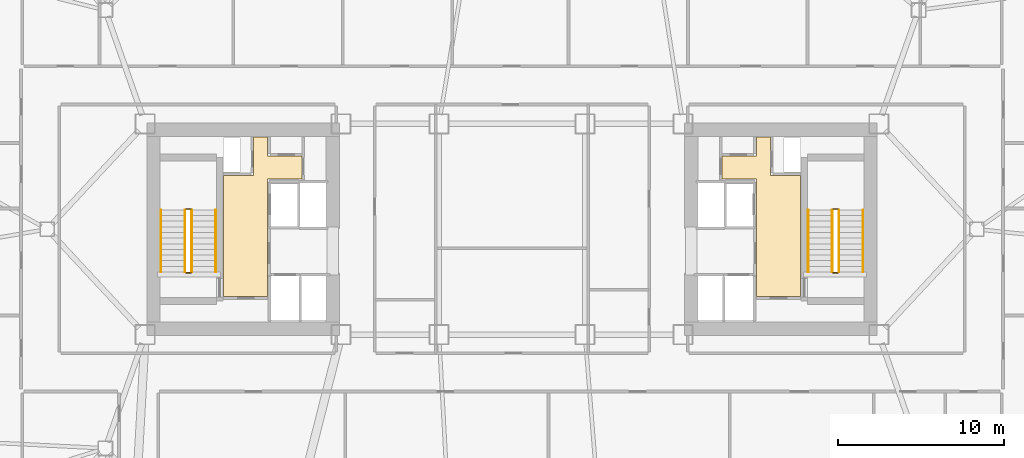
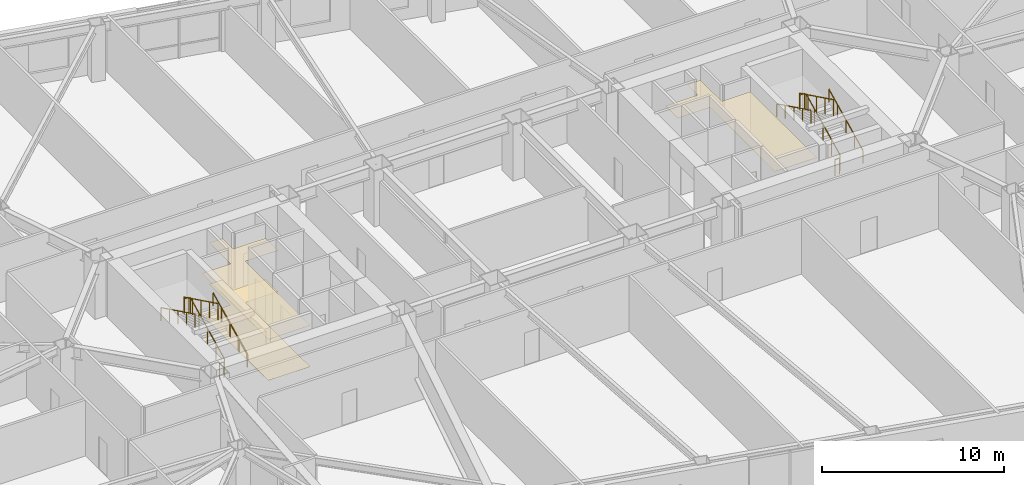
# One storey, part 18 of 18: 12 railings, 3 coverings.
"""IFC4 building model written with IfcOpenShell, lengths in metres."""

from ifc_helpers import new_model, si_unit, direction, frame, origin, origin_2d, place, context, subcontext, project, spatial, polyline, rectangle, outline, extrude, material, layer, layer_set, type_object, element, save


model = new_model("IFC4")

# Units and contexts
model_context = context("Model", 3, precision=1e-05, world=origin(), true_north=direction((0.0, 1.0)))
body_context = subcontext(model_context, "Body", "Model", "MODEL_VIEW")
ifc_project = project(units=[si_unit("LENGTHUNIT", "METRE"), si_unit("AREAUNIT", "SQUARE_METRE"), si_unit("VOLUMEUNIT", "CUBIC_METRE"), si_unit("PLANEANGLEUNIT", "RADIAN"), si_unit("MASSUNIT", "GRAM", prefix="KILO")], contexts=[model_context])

# Site, building, storey
site_placement = place(None, origin())
site = spatial("IfcSite", under=ifc_project, at=site_placement, CompositionType="ELEMENT")
building_placement = place(site_placement, origin())
building = spatial("IfcBuilding", under=site, at=building_placement, Name="Tavrogorsk Clinical Tower", CompositionType="ELEMENT")
storey_placement = place(building_placement, frame((0.0, 0.0, 47.39990234375)))
storey = spatial("IfcBuildingStorey", under=building, at=storey_placement, Name="L09", CompositionType="ELEMENT", Elevation=47.39990234375)

# Coverings
ifc_material_1 = material(Name="Antibacterial micro-perforated aluminium ceiling", Category="aluminium")
ifc_layer_1 = layer(ifc_material_1, 0.014892578125)
ifc_layer_set_1 = layer_set([ifc_layer_1], Name="Antibacterial micro-perforated aluminium ceiling")
covering_type_1 = type_object("IfcCoveringType", Name="ClinicalCeiling_15", PredefinedType="CEILING", material=ifc_layer_set_1)
covering_1_placement = place(storey_placement, frame((0.0, 0.0, 2.75)))
element("IfcCovering", 1, at=covering_1_placement, inside=storey, type_object=covering_type_1, Name="Core West Firefighting Lift Lobby Acoustic Ceiling", PredefinedType="CEILING", context=body_context, shape_type="SweptSolid", body=[
    extrude(outline(polyline([(-17.3798828125, -4.06005859375), (-17.3798828125, 3.239990234375), (-15.56005859375, 3.239990234375), (-15.56005859375, 5.56005859375), (-14.719970703125, 5.56005859375), (-14.719970703125, 4.39990234375), (-12.659912109375, 4.39990234375), (-12.659912109375, 3.0400390625), (-14.719970703125, 3.0400390625), (-14.719970703125, -4.06005859375), (-17.3798828125, -4.06005859375)])), origin(), (0.0, 0.0, 1.0), 0.01513671875),
])
covering_2_placement = place(storey_placement, frame((0.0, 0.0, 2.75)))
element("IfcCovering", 2, at=covering_2_placement, inside=storey, type_object=covering_type_1, Name="Core East Firefighting Lift Lobby Acoustic Ceiling", PredefinedType="CEILING", context=body_context, shape_type="SweptSolid", body=[
    extrude(outline(polyline([(14.719970703125, 3.0400390625), (12.659912109375, 3.0400390625), (12.659912109375, 4.39990234375), (14.719970703125, 4.39990234375), (14.719970703125, 5.56005859375), (15.56005859375, 5.56005859375), (15.56005859375, 3.239990234375), (17.3798828125, 3.239990234375), (17.3798828125, -4.06005859375), (14.719970703125, -4.06005859375), (14.719970703125, 3.0400390625)])), origin(), (0.0, 0.0, 1.0), 0.01513671875),
])
ifc_material_2 = material(Name="Homogeneous medical conductive PVC flooring")
ifc_layer_2 = layer(ifc_material_2, 0.008056640625)
ifc_layer_set_2 = layer_set([ifc_layer_2], Name="Homogeneous medical conductive PVC flooring")
covering_type_2 = type_object("IfcCoveringType", Name="ResilientVinylFloor_8", PredefinedType="FLOORING", material=ifc_layer_set_2)
covering_3_placement = place(storey_placement, origin())
element("IfcCovering", 3, at=covering_3_placement, inside=storey, type_object=covering_type_2, Name="Core West Firefighting Lift Lobby Conductive Vinyl Flooring", PredefinedType="FLOORING", context=body_context, shape_type="SweptSolid", body=[
    extrude(outline(polyline([(-17.3798828125, -4.06005859375), (-17.3798828125, 3.239990234375), (-15.56005859375, 3.239990234375), (-15.56005859375, 5.56005859375), (-14.719970703125, 5.56005859375), (-14.719970703125, 4.39990234375), (-12.659912109375, 4.39990234375), (-12.659912109375, 3.0400390625), (-14.719970703125, 3.0400390625), (-14.719970703125, -4.06005859375), (-17.3798828125, -4.06005859375)])), origin(), (0.0, 0.0, 1.0), 0.008056640625),
])

# Railings
ifc_material_3 = material(Name="Galvanised steel S355 safety stairwell guard", Category="steel")
ifc_layer_3 = layer(ifc_material_3, 0.06005859375)
ifc_layer_set_3 = layer_set([ifc_layer_3], Name="Galvanised steel S355 safety stairwell guard")
railing_type_1 = type_object("IfcRailingType", Name="StairGuard_1150", PredefinedType="GUARDRAIL", material=ifc_layer_set_3)
railing_1_placement = place(storey_placement, frame((-19.300048828125, -2.574951171875, 0.166748046875)))
element("IfcRailing", 4, at=railing_1_placement, inside=storey, type_object=railing_type_1, Name="L09 ST-W stair guard 1", PredefinedType="GUARDRAIL", context=body_context, shape_type="SweptSolid", body=[
    extrude(rectangle(XDim=0.048095703125, YDim=0.048095703125, at=origin_2d()), frame((0.0, 0.0, 1.076171875), z_axis=(0.0, 0.897927990467, 0.440142390523), x_axis=(-1.0, 0.0, 0.0)), (0.0, 0.0, 1.0), 4.1650390625),
    extrude(rectangle(XDim=0.0419921875, YDim=0.0419921875, at=origin_2d()), origin(), (0.0, 0.0, 1.0), 1.052001953125),
    extrude(rectangle(XDim=0.0419921875, YDim=0.0419921875, at=origin_2d()), frame((0.0, 0.93505859375, 0.458251953125)), (0.0, 0.0, 1.0), 1.052001953125),
    extrude(rectangle(XDim=0.0419921875, YDim=0.0419921875, at=origin_2d()), frame((0.0, 1.8701171875, 0.91650390625)), (0.0, 0.0, 1.0), 1.052001953125),
    extrude(rectangle(XDim=0.0419921875, YDim=0.0419921875, at=origin_2d()), frame((0.0, 2.804931640625, 1.375)), (0.0, 0.0, 1.0), 1.052001953125),
    extrude(rectangle(XDim=0.0419921875, YDim=0.0419921875, at=origin_2d()), frame((0.0, 3.739990234375, 1.833251953125)), (0.0, 0.0, 1.0), 1.052001953125),
])
railing_2_placement = place(storey_placement, frame((-19.35009765625, 1.215087890625, 2.0)))
element("IfcRailing", 5, at=railing_2_placement, inside=storey, type_object=railing_type_1, Name="L09 ST-W stair guard 2", PredefinedType="GUARDRAIL", context=body_context, shape_type="SweptSolid", body=[
    extrude(rectangle(XDim=0.048095703125, YDim=0.048095703125, at=origin_2d()), frame((0.0, 0.0, 1.076171875), z_axis=(-1.0, 0.0, 0.0), x_axis=(0.0, -1.0, 0.0)), (0.0, 0.0, 1.0), 0.2998046875),
    extrude(rectangle(XDim=0.0419921875, YDim=0.0419921875, at=origin_2d()), origin(), (0.0, 0.0, 1.0), 1.052001953125),
    extrude(rectangle(XDim=0.0419921875, YDim=0.0419921875, at=origin_2d()), frame((-0.2998046875, 0.0, 0.0)), (0.0, 0.0, 1.0), 1.052001953125),
])
railing_3_placement = place(storey_placement, frame((-19.699951171875, 1.1650390625, 2.166748046875)))
element("IfcRailing", 6, at=railing_3_placement, inside=storey, type_object=railing_type_1, Name="L09 ST-W stair guard 3", PredefinedType="GUARDRAIL", context=body_context, shape_type="SweptSolid", body=[
    extrude(rectangle(XDim=0.048095703125, YDim=0.048095703125, at=origin_2d()), frame((0.0, 0.0, 1.076171875), z_axis=(0.0, -0.897927990467, 0.440142390523), x_axis=(1.0, 0.0, 0.0)), (0.0, 0.0, 1.0), 4.1650390625),
    extrude(rectangle(XDim=0.0419921875, YDim=0.0419921875, at=origin_2d()), origin(), (0.0, 0.0, 1.0), 1.052001953125),
    extrude(rectangle(XDim=0.0419921875, YDim=0.0419921875, at=origin_2d()), frame((0.0, -0.93505859375, 0.458251953125)), (0.0, 0.0, 1.0), 1.052001953125),
    extrude(rectangle(XDim=0.0419921875, YDim=0.0419921875, at=origin_2d()), frame((0.0, -1.8701171875, 0.91650390625)), (0.0, 0.0, 1.0), 1.052001953125),
    extrude(rectangle(XDim=0.0419921875, YDim=0.0419921875, at=origin_2d()), frame((0.0, -2.804931640625, 1.375)), (0.0, 0.0, 1.0), 1.052001953125),
    extrude(rectangle(XDim=0.0419921875, YDim=0.0419921875, at=origin_2d()), frame((0.0, -3.739990234375, 1.833251953125)), (0.0, 0.0, 1.0), 1.052001953125),
])
railing_4_placement = place(storey_placement, frame((-19.35009765625, -2.625, 0.0)))
element("IfcRailing", 7, at=railing_4_placement, inside=storey, type_object=railing_type_1, Name="L09 ST-W stair guard 4", PredefinedType="GUARDRAIL", context=body_context, shape_type="SweptSolid", body=[
    extrude(rectangle(XDim=0.048095703125, YDim=0.048095703125, at=origin_2d()), frame((0.0, 0.0, 1.076171875), z_axis=(-1.0, 0.0, 0.0), x_axis=(0.0, -1.0, 0.0)), (0.0, 0.0, 1.0), 0.2998046875),
    extrude(rectangle(XDim=0.0419921875, YDim=0.0419921875, at=origin_2d()), origin(), (0.0, 0.0, 1.0), 1.052001953125),
    extrude(rectangle(XDim=0.0419921875, YDim=0.0419921875, at=origin_2d()), frame((-0.2998046875, 0.0, 0.0)), (0.0, 0.0, 1.0), 1.052001953125),
])
railing_5_placement = place(storey_placement, frame((19.699951171875, -2.574951171875, 0.166748046875)))
element("IfcRailing", 8, at=railing_5_placement, inside=storey, type_object=railing_type_1, Name="L09 ST-E stair guard 1", PredefinedType="GUARDRAIL", context=body_context, shape_type="SweptSolid", body=[
    extrude(rectangle(XDim=0.048095703125, YDim=0.048095703125, at=origin_2d()), frame((0.0, 0.0, 1.076171875), z_axis=(0.0, 0.897927990467, 0.440142390523), x_axis=(-1.0, 0.0, 0.0)), (0.0, 0.0, 1.0), 4.1650390625),
    extrude(rectangle(XDim=0.0419921875, YDim=0.0419921875, at=origin_2d()), origin(), (0.0, 0.0, 1.0), 1.052001953125),
    extrude(rectangle(XDim=0.0419921875, YDim=0.0419921875, at=origin_2d()), frame((0.0, 0.93505859375, 0.458251953125)), (0.0, 0.0, 1.0), 1.052001953125),
    extrude(rectangle(XDim=0.0419921875, YDim=0.0419921875, at=origin_2d()), frame((0.0, 1.8701171875, 0.91650390625)), (0.0, 0.0, 1.0), 1.052001953125),
    extrude(rectangle(XDim=0.0419921875, YDim=0.0419921875, at=origin_2d()), frame((0.0, 2.804931640625, 1.375)), (0.0, 0.0, 1.0), 1.052001953125),
    extrude(rectangle(XDim=0.0419921875, YDim=0.0419921875, at=origin_2d()), frame((0.0, 3.739990234375, 1.833251953125)), (0.0, 0.0, 1.0), 1.052001953125),
])
railing_6_placement = place(storey_placement, frame((19.64990234375, 1.215087890625, 2.0)))
element("IfcRailing", 9, at=railing_6_placement, inside=storey, type_object=railing_type_1, Name="L09 ST-E stair guard 2", PredefinedType="GUARDRAIL", context=body_context, shape_type="SweptSolid", body=[
    extrude(rectangle(XDim=0.048095703125, YDim=0.048095703125, at=origin_2d()), frame((0.0, 0.0, 1.076171875), z_axis=(-1.0, 0.0, 0.0), x_axis=(0.0, -1.0, 0.0)), (0.0, 0.0, 1.0), 0.2998046875),
    extrude(rectangle(XDim=0.0419921875, YDim=0.0419921875, at=origin_2d()), origin(), (0.0, 0.0, 1.0), 1.052001953125),
    extrude(rectangle(XDim=0.0419921875, YDim=0.0419921875, at=origin_2d()), frame((-0.2998046875, 0.0, 0.0)), (0.0, 0.0, 1.0), 1.052001953125),
])
railing_7_placement = place(storey_placement, frame((19.300048828125, 1.1650390625, 2.166748046875)))
element("IfcRailing", 10, at=railing_7_placement, inside=storey, type_object=railing_type_1, Name="L09 ST-E stair guard 3", PredefinedType="GUARDRAIL", context=body_context, shape_type="SweptSolid", body=[
    extrude(rectangle(XDim=0.048095703125, YDim=0.048095703125, at=origin_2d()), frame((0.0, 0.0, 1.076171875), z_axis=(0.0, -0.897927990467, 0.440142390523), x_axis=(1.0, 0.0, 0.0)), (0.0, 0.0, 1.0), 4.1650390625),
    extrude(rectangle(XDim=0.0419921875, YDim=0.0419921875, at=origin_2d()), origin(), (0.0, 0.0, 1.0), 1.052001953125),
    extrude(rectangle(XDim=0.0419921875, YDim=0.0419921875, at=origin_2d()), frame((0.0, -0.93505859375, 0.458251953125)), (0.0, 0.0, 1.0), 1.052001953125),
    extrude(rectangle(XDim=0.0419921875, YDim=0.0419921875, at=origin_2d()), frame((0.0, -1.8701171875, 0.91650390625)), (0.0, 0.0, 1.0), 1.052001953125),
    extrude(rectangle(XDim=0.0419921875, YDim=0.0419921875, at=origin_2d()), frame((0.0, -2.804931640625, 1.375)), (0.0, 0.0, 1.0), 1.052001953125),
    extrude(rectangle(XDim=0.0419921875, YDim=0.0419921875, at=origin_2d()), frame((0.0, -3.739990234375, 1.833251953125)), (0.0, 0.0, 1.0), 1.052001953125),
])
railing_8_placement = place(storey_placement, frame((19.64990234375, -2.625, 0.0)))
element("IfcRailing", 11, at=railing_8_placement, inside=storey, type_object=railing_type_1, Name="L09 ST-E stair guard 4", PredefinedType="GUARDRAIL", context=body_context, shape_type="SweptSolid", body=[
    extrude(rectangle(XDim=0.048095703125, YDim=0.048095703125, at=origin_2d()), frame((0.0, 0.0, 1.076171875), z_axis=(-1.0, 0.0, 0.0), x_axis=(0.0, -1.0, 0.0)), (0.0, 0.0, 1.0), 0.2998046875),
    extrude(rectangle(XDim=0.0419921875, YDim=0.0419921875, at=origin_2d()), origin(), (0.0, 0.0, 1.0), 1.052001953125),
    extrude(rectangle(XDim=0.0419921875, YDim=0.0419921875, at=origin_2d()), frame((-0.2998046875, 0.0, 0.0)), (0.0, 0.0, 1.0), 1.052001953125),
])
ifc_material_4 = material(Name="Stainless steel AISI 304 tubular handrail", Category="steel")
ifc_layer_4 = layer(ifc_material_4, 0.050048828125)
ifc_layer_set_4 = layer_set([ifc_layer_4], Name="Stainless steel AISI 304 tubular handrail")
railing_type_2 = type_object("IfcRailingType", Name="StairHandrail_920", PredefinedType="HANDRAIL", material=ifc_layer_set_4)
railing_9_placement = place(storey_placement, frame((-17.85009765625, -2.574951171875, 0.166748046875)))
element("IfcRailing", 12, at=railing_9_placement, inside=storey, type_object=railing_type_2, Name="L09 ST-W stair handrail 1", PredefinedType="HANDRAIL", context=body_context, shape_type="SweptSolid", body=[
    extrude(rectangle(XDim=0.048095703125, YDim=0.048095703125, at=origin_2d()), frame((0.0, 0.0, 0.8759765625), z_axis=(0.0, 0.897927990467, 0.440142390523), x_axis=(-1.0, 0.0, 0.0)), (0.0, 0.0, 1.0), 4.1650390625),
    extrude(rectangle(XDim=0.0419921875, YDim=0.0419921875, at=origin_2d()), origin(), (0.0, 0.0, 1.0), 0.851806640625),
    extrude(rectangle(XDim=0.0419921875, YDim=0.0419921875, at=origin_2d()), frame((0.0, 0.93505859375, 0.458251953125)), (0.0, 0.0, 1.0), 0.851806640625),
    extrude(rectangle(XDim=0.0419921875, YDim=0.0419921875, at=origin_2d()), frame((0.0, 1.8701171875, 0.91650390625)), (0.0, 0.0, 1.0), 0.851806640625),
    extrude(rectangle(XDim=0.0419921875, YDim=0.0419921875, at=origin_2d()), frame((0.0, 2.804931640625, 1.375)), (0.0, 0.0, 1.0), 0.851806640625),
    extrude(rectangle(XDim=0.0419921875, YDim=0.0419921875, at=origin_2d()), frame((0.0, 3.739990234375, 1.833251953125)), (0.0, 0.0, 1.0), 0.851806640625),
])
railing_10_placement = place(storey_placement, frame((-21.14990234375, 1.1650390625, 2.166748046875)))
element("IfcRailing", 13, at=railing_10_placement, inside=storey, type_object=railing_type_2, Name="L09 ST-W stair handrail 2", PredefinedType="HANDRAIL", context=body_context, shape_type="SweptSolid", body=[
    extrude(rectangle(XDim=0.048095703125, YDim=0.048095703125, at=origin_2d()), frame((0.0, 0.0, 0.8759765625), z_axis=(0.0, -0.897927990467, 0.440142390523), x_axis=(1.0, 0.0, 0.0)), (0.0, 0.0, 1.0), 4.1650390625),
    extrude(rectangle(XDim=0.0419921875, YDim=0.0419921875, at=origin_2d()), origin(), (0.0, 0.0, 1.0), 0.851806640625),
    extrude(rectangle(XDim=0.0419921875, YDim=0.0419921875, at=origin_2d()), frame((0.0, -0.93505859375, 0.458251953125)), (0.0, 0.0, 1.0), 0.851806640625),
    extrude(rectangle(XDim=0.0419921875, YDim=0.0419921875, at=origin_2d()), frame((0.0, -1.8701171875, 0.91650390625)), (0.0, 0.0, 1.0), 0.851806640625),
    extrude(rectangle(XDim=0.0419921875, YDim=0.0419921875, at=origin_2d()), frame((0.0, -2.804931640625, 1.375)), (0.0, 0.0, 1.0), 0.851806640625),
    extrude(rectangle(XDim=0.0419921875, YDim=0.0419921875, at=origin_2d()), frame((0.0, -3.739990234375, 1.833251953125)), (0.0, 0.0, 1.0), 0.851806640625),
])
railing_11_placement = place(storey_placement, frame((21.14990234375, -2.574951171875, 0.166748046875)))
element("IfcRailing", 14, at=railing_11_placement, inside=storey, type_object=railing_type_2, Name="L09 ST-E stair handrail 1", PredefinedType="HANDRAIL", context=body_context, shape_type="SweptSolid", body=[
    extrude(rectangle(XDim=0.048095703125, YDim=0.048095703125, at=origin_2d()), frame((0.0, 0.0, 0.8759765625), z_axis=(0.0, 0.897927990467, 0.440142390523), x_axis=(-1.0, 0.0, 0.0)), (0.0, 0.0, 1.0), 4.1650390625),
    extrude(rectangle(XDim=0.0419921875, YDim=0.0419921875, at=origin_2d()), origin(), (0.0, 0.0, 1.0), 0.851806640625),
    extrude(rectangle(XDim=0.0419921875, YDim=0.0419921875, at=origin_2d()), frame((0.0, 0.93505859375, 0.458251953125)), (0.0, 0.0, 1.0), 0.851806640625),
    extrude(rectangle(XDim=0.0419921875, YDim=0.0419921875, at=origin_2d()), frame((0.0, 1.8701171875, 0.91650390625)), (0.0, 0.0, 1.0), 0.851806640625),
    extrude(rectangle(XDim=0.0419921875, YDim=0.0419921875, at=origin_2d()), frame((0.0, 2.804931640625, 1.375)), (0.0, 0.0, 1.0), 0.851806640625),
    extrude(rectangle(XDim=0.0419921875, YDim=0.0419921875, at=origin_2d()), frame((0.0, 3.739990234375, 1.833251953125)), (0.0, 0.0, 1.0), 0.851806640625),
])
railing_12_placement = place(storey_placement, frame((17.85009765625, 1.1650390625, 2.166748046875)))
element("IfcRailing", 15, at=railing_12_placement, inside=storey, type_object=railing_type_2, Name="L09 ST-E stair handrail 2", PredefinedType="HANDRAIL", context=body_context, shape_type="SweptSolid", body=[
    extrude(rectangle(XDim=0.048095703125, YDim=0.048095703125, at=origin_2d()), frame((0.0, 0.0, 0.8759765625), z_axis=(0.0, -0.897927990467, 0.440142390523), x_axis=(1.0, 0.0, 0.0)), (0.0, 0.0, 1.0), 4.1650390625),
    extrude(rectangle(XDim=0.0419921875, YDim=0.0419921875, at=origin_2d()), origin(), (0.0, 0.0, 1.0), 0.851806640625),
    extrude(rectangle(XDim=0.0419921875, YDim=0.0419921875, at=origin_2d()), frame((0.0, -0.93505859375, 0.458251953125)), (0.0, 0.0, 1.0), 0.851806640625),
    extrude(rectangle(XDim=0.0419921875, YDim=0.0419921875, at=origin_2d()), frame((0.0, -1.8701171875, 0.91650390625)), (0.0, 0.0, 1.0), 0.851806640625),
    extrude(rectangle(XDim=0.0419921875, YDim=0.0419921875, at=origin_2d()), frame((0.0, -2.804931640625, 1.375)), (0.0, 0.0, 1.0), 0.851806640625),
    extrude(rectangle(XDim=0.0419921875, YDim=0.0419921875, at=origin_2d()), frame((0.0, -3.739990234375, 1.833251953125)), (0.0, 0.0, 1.0), 0.851806640625),
])

save(model, "model.ifc")
